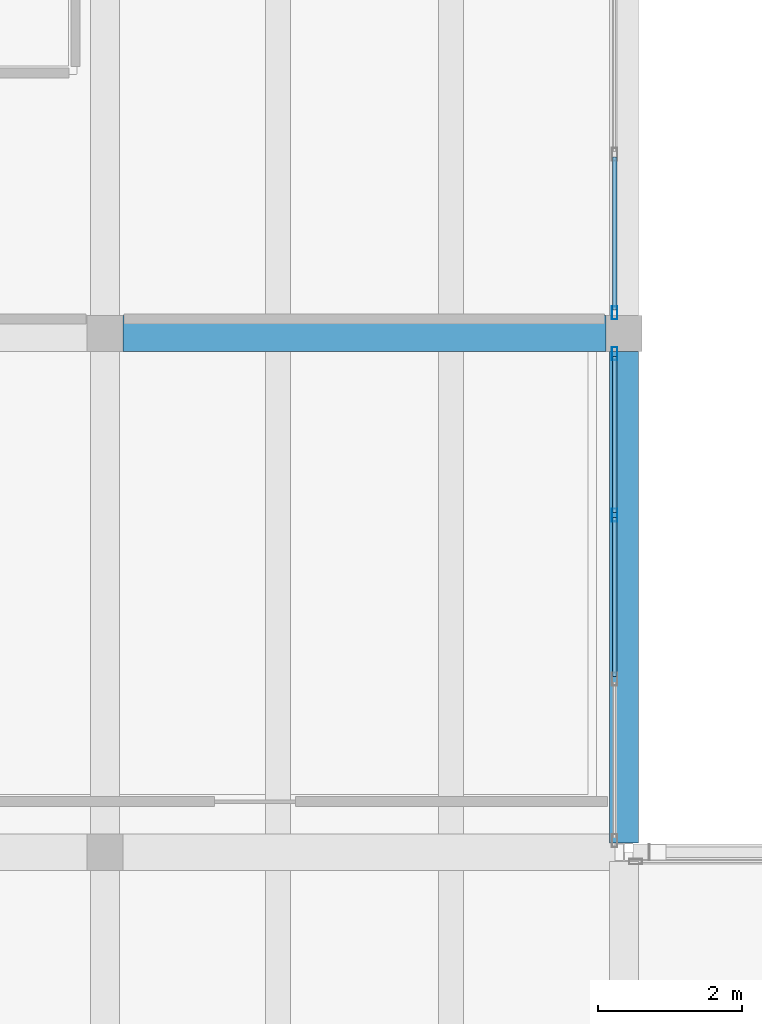
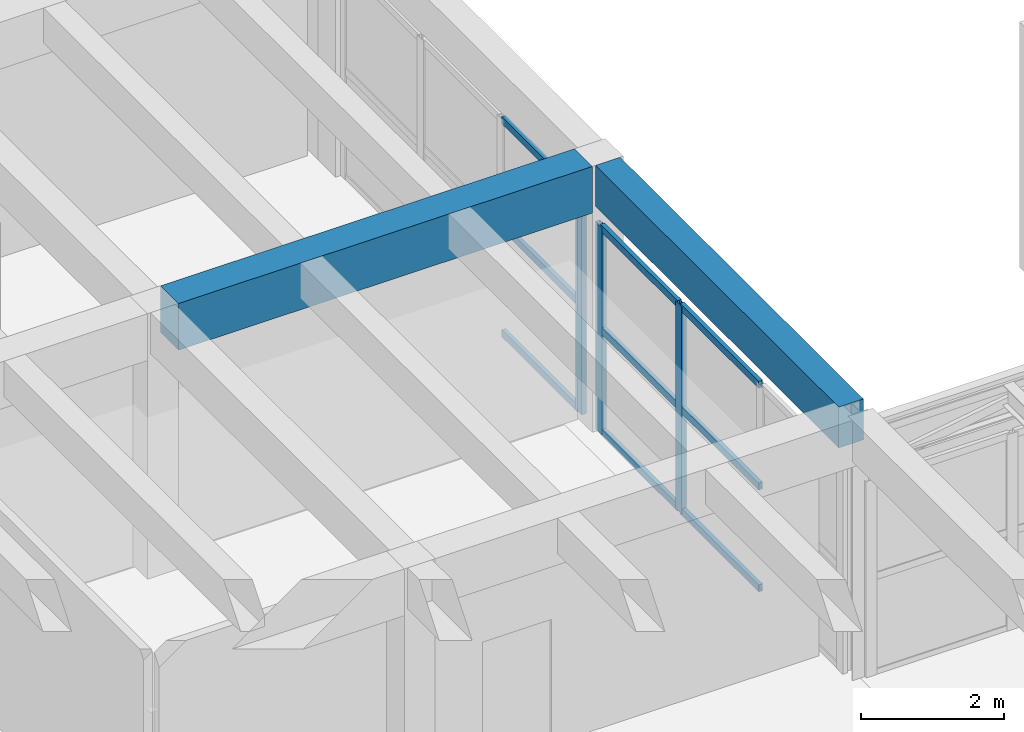
# One storey, part 46 of 153: 12 members, 2 beams, 2 elements without a shape of their own.
"""IFC4 building model written with IfcOpenShell, lengths in metres."""

from ifc_helpers import new_model, si_unit, direction, frame, origin, origin_2d, place, context, subcontext, project, spatial, rectangle, hollow_rectangle, extrude, material, material_profile, profile_set, type_object, element, aggregate, save


model = new_model("IFC4")

# Units and contexts
model_context = context("Model", 3, precision=1e-05, world=origin(), true_north=direction((0.0, 1.0)))
body_context = subcontext(model_context, "Body", "Model", "MODEL_VIEW")
ifc_project = project(units=[si_unit("LENGTHUNIT", "METRE"), si_unit("AREAUNIT", "SQUARE_METRE"), si_unit("VOLUMEUNIT", "CUBIC_METRE"), si_unit("PLANEANGLEUNIT", "RADIAN"), si_unit("MASSUNIT", "GRAM", prefix="KILO")], contexts=[model_context])

# Site, building, storey
site_placement = place(None, origin())
site = spatial("IfcSite", under=ifc_project, at=site_placement, CompositionType="ELEMENT")
building_placement = place(site_placement, origin())
building = spatial("IfcBuilding", under=site, at=building_placement, Name="Bramvelor Terrace Health Centre", CompositionType="ELEMENT")
storey_placement = place(building_placement, frame((0.0, 0.0, 4.800048828125)))
storey = spatial("IfcBuildingStorey", under=building, at=storey_placement, Name="L02", CompositionType="ELEMENT", Elevation=4.800048828125)

# Beams
ifc_material_1 = material(Name="Concrete C40/50", Category="concrete")
ifc_material_profile_1 = material_profile(ifc_material_1, rectangle(XDim=0.39990234375, YDim=0.699951171875, at=origin_2d()), Name="RC 400x700")
ifc_profile_set_1 = profile_set([ifc_material_profile_1], Name="Concrete C40/50")
beam_type_1 = type_object("IfcBeamType", Name="BM-RC-G700", PredefinedType="BEAM", material=ifc_profile_set_1)
beam_1_placement = place(storey_placement, frame((93.60009765625, 57.730224609375, 4.199951171875), z_axis=(0.0, 1.0, 0.0), x_axis=(-1.0, 0.0, 0.0)))
element("IfcBeam", 1, at=beam_1_placement, inside=storey, type_object=beam_type_1, Name="L02 Floor Girder", PredefinedType="BEAM", context=body_context, shape_type="SweptSolid", body=[
    extrude(rectangle(XDim=0.39990234375, YDim=0.699951171875, at=origin_2d()), origin(), (0.0, 0.0, 1.0), 6.81982421875),
])
ifc_material_2 = material(Name="Concrete C40/50", Category="concrete")
ifc_material_profile_2 = material_profile(ifc_material_2, rectangle(XDim=0.5, YDim=0.800048828125, at=origin_2d()), Name="RC 500x800")
ifc_profile_set_2 = profile_set([ifc_material_profile_2], Name="Concrete C40/50")
beam_type_2 = type_object("IfcBeamType", Name="BM-RC-G800", PredefinedType="BEAM", material=ifc_profile_set_2)
beam_2_placement = place(storey_placement, frame((86.64990234375, 64.800048828125, 4.14990234375), z_axis=(1.0, 0.0, 0.0), x_axis=(0.0, 1.0, 0.0)))
element("IfcBeam", 2, at=beam_2_placement, inside=storey, type_object=beam_type_2, Name="L02 Floor Girder", PredefinedType="BEAM", context=body_context, shape_type="SweptSolid", body=[
    extrude(rectangle(XDim=0.5, YDim=0.800048828125, at=origin_2d()), origin(), (0.0, 0.0, 1.0), 6.7001953125),
])

# Curtain wall, member
ifc_material_3 = material(Name="Anodized aluminium and double low-E glass", Category="aluminium")
curtain_wall_type_1 = type_object("IfcCurtainWallType", Name="CW-SYS-17", PredefinedType="NOTDEFINED", material=ifc_material_3)
curtain_wall_1_placement = place(storey_placement, origin())
curtain_wall_1 = element("IfcCurtainWall", 3, at=curtain_wall_1_placement, inside=storey, type_object=curtain_wall_type_1, Name="L02 Unitized Curtain Wall 97", PredefinedType="NOTDEFINED")
ifc_material_4 = material(Name="Anodized aluminium 6063-T6", Category="aluminium")
ifc_material_profile_3 = material_profile(ifc_material_4, hollow_rectangle(XDim=0.074951171875, YDim=0.179931640625, WallThickness=0.00341796875, at=origin_2d()), Name="ALU-MUL 75x180x3.5")
ifc_profile_set_3 = profile_set([ifc_material_profile_3], Name="Anodized aluminium 6063-T6")
member_type_1 = type_object("IfcMemberType", Name="CW-MUL-65x180", PredefinedType="MULLION", material=ifc_profile_set_3)
member_1_placement = place(storey_placement, frame((93.469970703125, 65.08251953125, 0.0), z_axis=(0.0, 0.0, 1.0), x_axis=(1.0, 0.0, 0.0)))
member_1 = element("IfcMember", 4, at=member_1_placement, type_object=member_type_1, Name="CW-17 mullion 4", PredefinedType="MULLION", context=body_context, shape_type="SweptSolid", body=[
    extrude(hollow_rectangle(XDim=0.074951171875, YDim=0.179931640625, WallThickness=0.00341796875, at=origin_2d()), origin(), (0.0, 0.0, 1.0), 3.7099609375),
])

# Curtain wall, members
ifc_material_5 = material(Name="Anodized aluminium and double low-E glass", Category="aluminium")
curtain_wall_type_2 = type_object("IfcCurtainWallType", Name="CW-SYS-01", PredefinedType="NOTDEFINED", material=ifc_material_5)
curtain_wall_2_placement = place(storey_placement, origin())
curtain_wall_2 = element("IfcCurtainWall", 5, at=curtain_wall_2_placement, inside=storey, type_object=curtain_wall_type_2, Name="L02 Unitized Curtain Wall 98", PredefinedType="NOTDEFINED")
member_2_placement = place(storey_placement, frame((93.469970703125, 64.517578125, 0.0), z_axis=(0.0, 0.0, 1.0), x_axis=(1.0, 0.0, 0.0)))
member_2 = element("IfcMember", 6, at=member_2_placement, type_object=member_type_1, Name="CW-01 mullion 1", PredefinedType="MULLION", context=body_context, shape_type="SweptSolid", body=[
    extrude(hollow_rectangle(XDim=0.074951171875, YDim=0.179931640625, WallThickness=0.00341796875, at=origin_2d()), origin(), (0.0, 0.0, 1.0), 3.5478515625),
])
member_3_placement = place(storey_placement, frame((93.469970703125, 62.2783203125, 0.0), z_axis=(0.0, 0.0, 1.0), x_axis=(1.0, 0.0, 0.0)))
member_3 = element("IfcMember", 7, at=member_3_placement, type_object=member_type_1, Name="CW-01 mullion 2", PredefinedType="MULLION", context=body_context, shape_type="SweptSolid", body=[
    extrude(hollow_rectangle(XDim=0.074951171875, YDim=0.179931640625, WallThickness=0.00341796875, at=origin_2d()), origin(), (0.0, 0.0, 1.0), 3.5478515625),
])

# Member
ifc_material_6 = material(Name="Anodized aluminium 6063-T6", Category="aluminium")
ifc_material_profile_4 = material_profile(ifc_material_6, hollow_rectangle(XDim=0.06494140625, YDim=0.1201171875, WallThickness=0.0029296875, at=origin_2d()), Name="ALU-TRN 65x120x3.0")
ifc_profile_set_4 = profile_set([ifc_material_profile_4], Name="Anodized aluminium 6063-T6")
member_type_2 = type_object("IfcMemberType", Name="CW-TRN-65x150", PredefinedType="USERDEFINED", material=ifc_profile_set_4)
member_4_placement = place(storey_placement, frame((93.469970703125, 67.244140625, 0.032470703125), z_axis=(0.0, -1.0, 0.0), x_axis=(1.0, 0.0, 0.0)))
member_4 = element("IfcMember", 8, at=member_4_placement, type_object=member_type_2, Name="CW-17 transom 3.1", ObjectType="TRANSOM", PredefinedType="USERDEFINED", context=body_context, shape_type="SweptSolid", body=[
    extrude(hollow_rectangle(XDim=0.06494140625, YDim=0.1201171875, WallThickness=0.0029296875, at=origin_2d()), origin(), (0.0, 0.0, 1.0), 2.1240234375),
])

member_5_placement = place(storey_placement, frame((93.469970703125, 67.244140625, 1.85498046875), z_axis=(0.0, -1.0, 0.0), x_axis=(1.0, 0.0, 0.0)))
member_5 = element("IfcMember", 9, at=member_5_placement, type_object=member_type_2, Name="CW-17 transom 3.2", ObjectType="TRANSOM", PredefinedType="USERDEFINED", context=body_context, shape_type="SweptSolid", body=[
    extrude(hollow_rectangle(XDim=0.06494140625, YDim=0.1201171875, WallThickness=0.0029296875, at=origin_2d()), origin(), (0.0, 0.0, 1.0), 2.1240234375),
])

member_6_placement = place(storey_placement, frame((93.469970703125, 67.244140625, 3.677490234375), z_axis=(0.0, -1.0, 0.0), x_axis=(1.0, 0.0, 0.0)))
member_6 = element("IfcMember", 10, at=member_6_placement, type_object=member_type_2, Name="CW-17 transom 3.3", ObjectType="TRANSOM", PredefinedType="USERDEFINED", context=body_context, shape_type="SweptSolid", body=[
    extrude(hollow_rectangle(XDim=0.06494140625, YDim=0.1201171875, WallThickness=0.0029296875, at=origin_2d()), origin(), (0.0, 0.0, 1.0), 2.1240234375),
])

aggregate(curtain_wall_1, [member_1, member_4, member_5, member_6])

member_7_placement = place(storey_placement, frame((93.469970703125, 64.47998046875, 0.032470703125), z_axis=(0.0, -1.0, 0.0), x_axis=(1.0, 0.0, 0.0)))
member_7 = element("IfcMember", 11, at=member_7_placement, type_object=member_type_2, Name="CW-01 transom 1.1", ObjectType="TRANSOM", PredefinedType="USERDEFINED", context=body_context, shape_type="SweptSolid", body=[
    extrude(hollow_rectangle(XDim=0.06494140625, YDim=0.1201171875, WallThickness=0.0029296875, at=origin_2d()), origin(), (0.0, 0.0, 1.0), 2.1640625),
])

member_8_placement = place(storey_placement, frame((93.469970703125, 64.47998046875, 1.77392578125), z_axis=(0.0, -1.0, 0.0), x_axis=(1.0, 0.0, 0.0)))
member_8 = element("IfcMember", 12, at=member_8_placement, type_object=member_type_2, Name="CW-01 transom 1.2", ObjectType="TRANSOM", PredefinedType="USERDEFINED", context=body_context, shape_type="SweptSolid", body=[
    extrude(hollow_rectangle(XDim=0.06494140625, YDim=0.1201171875, WallThickness=0.0029296875, at=origin_2d()), origin(), (0.0, 0.0, 1.0), 2.1640625),
])

member_9_placement = place(storey_placement, frame((93.469970703125, 64.47998046875, 3.515380859375), z_axis=(0.0, -1.0, 0.0), x_axis=(1.0, 0.0, 0.0)))
member_9 = element("IfcMember", 13, at=member_9_placement, type_object=member_type_2, Name="CW-01 transom 1.3", ObjectType="TRANSOM", PredefinedType="USERDEFINED", context=body_context, shape_type="SweptSolid", body=[
    extrude(hollow_rectangle(XDim=0.06494140625, YDim=0.1201171875, WallThickness=0.0029296875, at=origin_2d()), origin(), (0.0, 0.0, 1.0), 2.1640625),
])

member_10_placement = place(storey_placement, frame((93.469970703125, 62.240966796875, 0.032470703125), z_axis=(0.0, -1.0, 0.0), x_axis=(1.0, 0.0, 0.0)))
member_10 = element("IfcMember", 14, at=member_10_placement, type_object=member_type_2, Name="CW-01 transom 2.1", ObjectType="TRANSOM", PredefinedType="USERDEFINED", context=body_context, shape_type="SweptSolid", body=[
    extrude(hollow_rectangle(XDim=0.06494140625, YDim=0.1201171875, WallThickness=0.0029296875, at=origin_2d()), origin(), (0.0, 0.0, 1.0), 2.20166015625),
])

member_11_placement = place(storey_placement, frame((93.469970703125, 62.240966796875, 1.77392578125), z_axis=(0.0, -1.0, 0.0), x_axis=(1.0, 0.0, 0.0)))
member_11 = element("IfcMember", 15, at=member_11_placement, type_object=member_type_2, Name="CW-01 transom 2.2", ObjectType="TRANSOM", PredefinedType="USERDEFINED", context=body_context, shape_type="SweptSolid", body=[
    extrude(hollow_rectangle(XDim=0.06494140625, YDim=0.1201171875, WallThickness=0.0029296875, at=origin_2d()), origin(), (0.0, 0.0, 1.0), 2.20166015625),
])

member_12_placement = place(storey_placement, frame((93.469970703125, 62.240966796875, 3.515380859375), z_axis=(0.0, -1.0, 0.0), x_axis=(1.0, 0.0, 0.0)))
member_12 = element("IfcMember", 16, at=member_12_placement, type_object=member_type_2, Name="CW-01 transom 2.3", ObjectType="TRANSOM", PredefinedType="USERDEFINED", context=body_context, shape_type="SweptSolid", body=[
    extrude(hollow_rectangle(XDim=0.06494140625, YDim=0.1201171875, WallThickness=0.0029296875, at=origin_2d()), origin(), (0.0, 0.0, 1.0), 2.20166015625),
])

aggregate(curtain_wall_2, [member_2, member_3, member_7, member_8, member_9, member_10, member_11, member_12])

save(model, "model.ifc")
